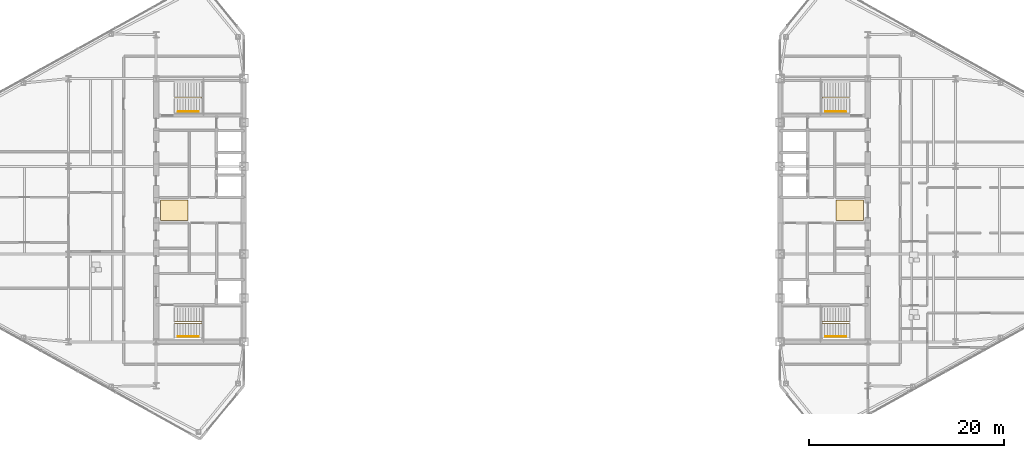
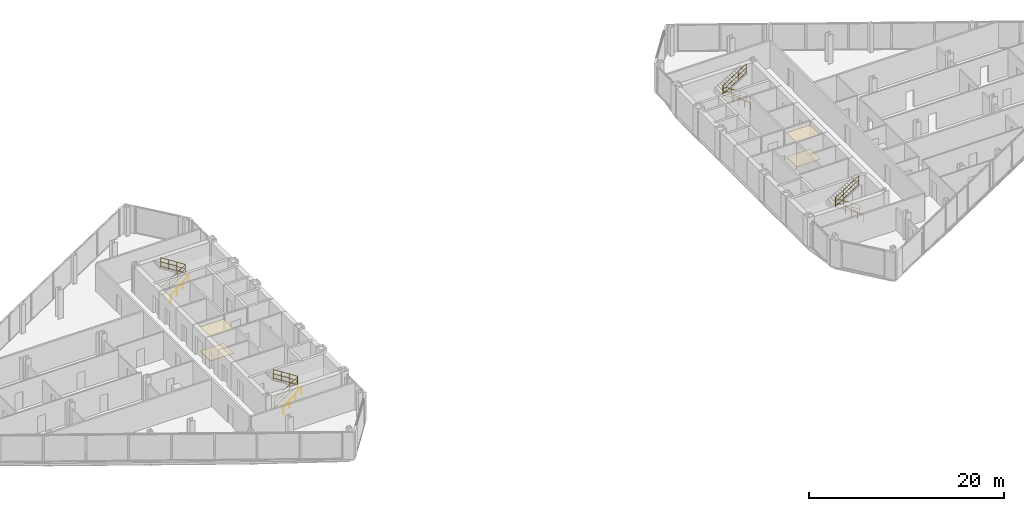
# One storey, part 25 of 26: 8 railings, 4 coverings.
"""IFC4 building model written with IfcOpenShell, lengths in metres."""

from ifc_helpers import new_model, si_unit, direction, frame, origin, origin_2d, place, context, subcontext, project, spatial, polyline, circle, outline, extrude, material, layer, layer_set, type_object, element, save


model = new_model("IFC4")

# Units and contexts
model_context = context("Model", 3, precision=1e-05, world=origin(), true_north=direction((0.0, 1.0)))
body_context = subcontext(model_context, "Body", "Model", "MODEL_VIEW")
ifc_project = project(units=[si_unit("LENGTHUNIT", "METRE"), si_unit("AREAUNIT", "SQUARE_METRE"), si_unit("VOLUMEUNIT", "CUBIC_METRE"), si_unit("PLANEANGLEUNIT", "RADIAN"), si_unit("MASSUNIT", "GRAM", prefix="KILO")], contexts=[model_context])

# Site, building, storey
site_placement = place(None, origin())
site = spatial("IfcSite", under=ifc_project, at=site_placement, CompositionType="ELEMENT")
building_placement = place(site_placement, origin())
building = spatial("IfcBuilding", under=site, at=building_placement, Name="Seokmaru Belvedere", CompositionType="ELEMENT")
storey_placement = place(building_placement, frame((0.0, 0.0, 167.10009765625)))
storey = spatial("IfcBuildingStorey", under=building, at=storey_placement, Name="L44", CompositionType="ELEMENT", Elevation=167.10009765625)

# Coverings
ifc_material_1 = material(Name="Engineered White Oak Timber", Category="wood")
ifc_layer_1 = layer(ifc_material_1, 0.02197265625)
ifc_layer_set_1 = layer_set([ifc_layer_1], Name="Engineered White Oak Timber")
covering_type_1 = type_object("IfcCoveringType", Name="Engineered Oak Residence Floor Finish 22", PredefinedType="FLOORING", material=ifc_layer_set_1)
covering_1_placement = place(storey_placement, origin())
element("IfcCovering", 1, at=covering_1_placement, inside=storey, type_object=covering_type_1, Name="L44 W Foyer Floor Finish", PredefinedType="FLOORING", context=body_context, shape_type="SweptSolid", body=[
    extrude(outline(polyline([(-36.050048828125, -1.050048828125), (-33.25, -1.050048828125), (-33.25, 1.050048828125), (-36.050048828125, 1.050048828125), (-36.050048828125, -1.050048828125)])), origin(), (0.0, 0.0, 1.0), 0.02197265625),
])
covering_2_placement = place(storey_placement, origin())
element("IfcCovering", 2, at=covering_2_placement, inside=storey, type_object=covering_type_1, Name="L44 E Foyer Floor Finish", PredefinedType="FLOORING", context=body_context, shape_type="SweptSolid", body=[
    extrude(outline(polyline([(33.25, -1.050048828125), (36.050048828125, -1.050048828125), (36.050048828125, 1.050048828125), (33.25, 1.050048828125), (33.25, -1.050048828125)])), origin(), (0.0, 0.0, 1.0), 0.02197265625),
])
ifc_material_2 = material(Name="Fire-Rated Gypsum Shaftwall")
ifc_layer_2 = layer(ifc_material_2, 0.02490234375)
ifc_layer_set_2 = layer_set([ifc_layer_2], Name="Fire-Rated Gypsum Shaftwall")
covering_type_2 = type_object("IfcCoveringType", Name="Perforated Acoustic Gypsum Suspended Ceiling 25", PredefinedType="CEILING", material=ifc_layer_set_2)
covering_3_placement = place(storey_placement, frame((0.0, 0.0, 3.02978515625)))
element("IfcCovering", 3, at=covering_3_placement, inside=storey, type_object=covering_type_2, Name="L44 W Lift Foyer Acoustic Ceiling", PredefinedType="CEILING", context=body_context, shape_type="SweptSolid", body=[
    extrude(outline(polyline([(-36.050048828125, -1.050048828125), (-33.25, -1.050048828125), (-33.25, 1.050048828125), (-36.050048828125, 1.050048828125), (-36.050048828125, -1.050048828125)])), origin(), (0.0, 0.0, 1.0), 0.025146484375),
])
covering_4_placement = place(storey_placement, frame((0.0, 0.0, 3.02978515625)))
element("IfcCovering", 4, at=covering_4_placement, inside=storey, type_object=covering_type_2, Name="L44 E Lift Foyer Acoustic Ceiling", PredefinedType="CEILING", context=body_context, shape_type="SweptSolid", body=[
    extrude(outline(polyline([(33.25, -1.050048828125), (36.050048828125, -1.050048828125), (36.050048828125, 1.050048828125), (33.25, 1.050048828125), (33.25, -1.050048828125)])), origin(), (0.0, 0.0, 1.0), 0.025146484375),
])

# Railings
ifc_material_3 = material(Name="Stainless Steel 316", Category="steel")
railing_type_1 = type_object("IfcRailingType", Name="Stainless Steel Wall and Flight Handrail 900", PredefinedType="HANDRAIL", material=ifc_material_3)
for number, where, name in (
    (5, (-34.25, -12.949951171875, 0.0), "L44 Stair ST-W1 Wall Handrail"),
    (6, (-34.25, 10.110107421875, 0.0), "L44 Stair ST-W2 Wall Handrail"),
):
    element("IfcRailing", number, at=place(storey_placement, frame(where)), inside=storey, type_object=railing_type_1, Name=name, PredefinedType="HANDRAIL", context=body_context, shape_type="SweptSolid", body=[
        extrude(circle(Radius=0.02392578125, at=origin_2d()), frame((0.0, 0.0, 0.8759765625), z_axis=(0.759306447245, 0.0, 0.650733216588), x_axis=(0.0, 1.0, 0.0)), (0.0, 0.0, 1.0), 2.765869140625),
        extrude(circle(Radius=0.02099609375, at=origin_2d()), origin(), (0.0, 0.0, 1.0), 0.851806640625),
        extrude(circle(Radius=0.02099609375, at=origin_2d()), frame((0.699951171875, 0.0, 0.599853515625)), (0.0, 0.0, 1.0), 0.851806640625),
        extrude(circle(Radius=0.02099609375, at=origin_2d()), frame((1.400146484375, 0.0, 1.199951171875)), (0.0, 0.0, 1.0), 0.851806640625),
        extrude(circle(Radius=0.02099609375, at=origin_2d()), frame((2.10009765625, 0.0, 1.7998046875)), (0.0, 0.0, 1.0), 0.851806640625),
    ])
for number, where, name in (
    (7, (34.25, -12.949951171875, 0.0), "L44 Stair ST-E1 Wall Handrail"),
    (8, (34.25, 10.110107421875, 0.0), "L44 Stair ST-E2 Wall Handrail"),
):
    element("IfcRailing", number, at=place(storey_placement, frame(where)), inside=storey, type_object=railing_type_1, Name=name, PredefinedType="HANDRAIL", context=body_context, shape_type="SweptSolid", body=[
        extrude(circle(Radius=0.02392578125, at=origin_2d()), frame((0.0, 0.0, 0.8759765625), z_axis=(-0.759306447245, 0.0, 0.650733216588), x_axis=(0.0, -1.0, 0.0)), (0.0, 0.0, 1.0), 2.765869140625),
        extrude(circle(Radius=0.02099609375, at=origin_2d()), origin(), (0.0, 0.0, 1.0), 0.851806640625),
        extrude(circle(Radius=0.02099609375, at=origin_2d()), frame((-0.699951171875, 0.0, 0.599853515625)), (0.0, 0.0, 1.0), 0.851806640625),
        extrude(circle(Radius=0.02099609375, at=origin_2d()), frame((-1.400146484375, 0.0, 1.199951171875)), (0.0, 0.0, 1.0), 0.851806640625),
        extrude(circle(Radius=0.02099609375, at=origin_2d()), frame((-2.10009765625, 0.0, 1.7998046875)), (0.0, 0.0, 1.0), 0.851806640625),
    ])
railing_type_2 = type_object("IfcRailingType", Name="Stair Well and Atrium Steel Guardrail 1200", PredefinedType="GUARDRAIL", material=ifc_material_3)
railing_1_placement = place(storey_placement, frame((-34.60009765625, -11.60009765625, 0.0)))
element("IfcRailing", 9, at=railing_1_placement, inside=storey, type_object=railing_type_2, Name="L44 Stair ST-W1 Inner Well Guardrail", PredefinedType="GUARDRAIL", context=body_context, shape_type="SweptSolid", body=[
    extrude(circle(Radius=0.02392578125, at=origin_2d()), frame((0.0, 0.0, 1.17578125), z_axis=(0.841209454229, 0.0, 0.540709398952), x_axis=(0.0, 1.0, 0.0)), (0.0, 0.0, 1.0), 3.32861328125),
    extrude(circle(Radius=0.02392578125, at=origin_2d()), frame((0.0, 0.0, 0.1201171875), z_axis=(0.841209454229, 0.0, 0.540709398952), x_axis=(0.0, 1.0, 0.0)), (0.0, 0.0, 1.0), 3.32861328125),
    extrude(circle(Radius=0.02392578125, at=origin_2d()), frame((0.0, 0.0, 0.659912109375), z_axis=(0.841209454229, 0.0, 0.540709398952), x_axis=(0.0, 1.0, 0.0)), (0.0, 0.0, 1.0), 3.32861328125),
    extrude(circle(Radius=0.02392578125, at=origin_2d()), frame((2.800048828125, 0.0, 2.9755859375), z_axis=(0.0, 1.0, 0.0), x_axis=(-1.0, 0.0, 0.0)), (0.0, 0.0, 1.0), 0.14013671875),
    extrude(circle(Radius=0.02392578125, at=origin_2d()), frame((2.800048828125, 0.0, 1.919921875), z_axis=(0.0, 1.0, 0.0), x_axis=(-1.0, 0.0, 0.0)), (0.0, 0.0, 1.0), 0.14013671875),
    extrude(circle(Radius=0.02392578125, at=origin_2d()), frame((2.800048828125, 0.0, 2.459716796875), z_axis=(0.0, 1.0, 0.0), x_axis=(-1.0, 0.0, 0.0)), (0.0, 0.0, 1.0), 0.14013671875),
    extrude(circle(Radius=0.02392578125, at=origin_2d()), frame((2.800048828125, 0.14013671875, 2.9755859375), z_axis=(-0.841176092368, 0.0, 0.540761298198), x_axis=(0.0, -1.0, 0.0)), (0.0, 0.0, 1.0), 3.32861328125),
    extrude(circle(Radius=0.02392578125, at=origin_2d()), frame((2.800048828125, 0.14013671875, 1.919921875), z_axis=(-0.841176092368, 0.0, 0.540761298198), x_axis=(0.0, -1.0, 0.0)), (0.0, 0.0, 1.0), 3.32861328125),
    extrude(circle(Radius=0.02392578125, at=origin_2d()), frame((2.800048828125, 0.14013671875, 2.459716796875), z_axis=(-0.841176092368, 0.0, 0.540761298198), x_axis=(0.0, -1.0, 0.0)), (0.0, 0.0, 1.0), 3.32861328125),
    extrude(circle(Radius=0.02099609375, at=origin_2d()), origin(), (0.0, 0.0, 1.0), 1.15185546875),
    extrude(circle(Radius=0.02099609375, at=origin_2d()), frame((0.933349609375, 0.0, 0.599853515625)), (0.0, 0.0, 1.0), 1.15185546875),
    extrude(circle(Radius=0.02099609375, at=origin_2d()), frame((1.86669921875, 0.0, 1.199951171875)), (0.0, 0.0, 1.0), 1.15185546875),
    extrude(circle(Radius=0.02099609375, at=origin_2d()), frame((2.800048828125, 0.0, 1.7998046875)), (0.0, 0.0, 1.0), 1.15185546875),
    extrude(circle(Radius=0.02099609375, at=origin_2d()), frame((2.800048828125, 0.14013671875, 1.7998046875)), (0.0, 0.0, 1.0), 1.15185546875),
    extrude(circle(Radius=0.02099609375, at=origin_2d()), frame((1.86669921875, 0.14013671875, 2.39990234375)), (0.0, 0.0, 1.0), 1.15185546875),
    extrude(circle(Radius=0.02099609375, at=origin_2d()), frame((0.933349609375, 0.14013671875, 2.999755859375)), (0.0, 0.0, 1.0), 1.15185546875),
    extrude(circle(Radius=0.02099609375, at=origin_2d()), frame((0.0, 0.14013671875, 3.599853515625)), (0.0, 0.0, 1.0), 1.15185546875),
])
railing_2_placement = place(storey_placement, frame((-34.60009765625, 11.4599609375, 0.0)))
element("IfcRailing", 10, at=railing_2_placement, inside=storey, type_object=railing_type_2, Name="L44 Stair ST-W2 Inner Well Guardrail", PredefinedType="GUARDRAIL", context=body_context, shape_type="SweptSolid", body=[
    extrude(circle(Radius=0.02392578125, at=origin_2d()), frame((0.0, 0.0, 1.17578125), z_axis=(0.841209454229, 0.0, 0.540709398952), x_axis=(0.0, 1.0, 0.0)), (0.0, 0.0, 1.0), 3.32861328125),
    extrude(circle(Radius=0.02392578125, at=origin_2d()), frame((0.0, 0.0, 0.1201171875), z_axis=(0.841209454229, 0.0, 0.540709398952), x_axis=(0.0, 1.0, 0.0)), (0.0, 0.0, 1.0), 3.32861328125),
    extrude(circle(Radius=0.02392578125, at=origin_2d()), frame((0.0, 0.0, 0.659912109375), z_axis=(0.841209454229, 0.0, 0.540709398952), x_axis=(0.0, 1.0, 0.0)), (0.0, 0.0, 1.0), 3.32861328125),
    extrude(circle(Radius=0.02392578125, at=origin_2d()), frame((2.800048828125, 0.0, 2.9755859375), z_axis=(0.0, 1.0, 0.0), x_axis=(-1.0, 0.0, 0.0)), (0.0, 0.0, 1.0), 0.14013671875),
    extrude(circle(Radius=0.02392578125, at=origin_2d()), frame((2.800048828125, 0.0, 1.919921875), z_axis=(0.0, 1.0, 0.0), x_axis=(-1.0, 0.0, 0.0)), (0.0, 0.0, 1.0), 0.14013671875),
    extrude(circle(Radius=0.02392578125, at=origin_2d()), frame((2.800048828125, 0.0, 2.459716796875), z_axis=(0.0, 1.0, 0.0), x_axis=(-1.0, 0.0, 0.0)), (0.0, 0.0, 1.0), 0.14013671875),
    extrude(circle(Radius=0.02392578125, at=origin_2d()), frame((2.800048828125, 0.14013671875, 2.9755859375), z_axis=(-0.841176092368, 0.0, 0.540761298198), x_axis=(0.0, -1.0, 0.0)), (0.0, 0.0, 1.0), 3.32861328125),
    extrude(circle(Radius=0.02392578125, at=origin_2d()), frame((2.800048828125, 0.14013671875, 1.919921875), z_axis=(-0.841176092368, 0.0, 0.540761298198), x_axis=(0.0, -1.0, 0.0)), (0.0, 0.0, 1.0), 3.32861328125),
    extrude(circle(Radius=0.02392578125, at=origin_2d()), frame((2.800048828125, 0.14013671875, 2.459716796875), z_axis=(-0.841176092368, 0.0, 0.540761298198), x_axis=(0.0, -1.0, 0.0)), (0.0, 0.0, 1.0), 3.32861328125),
    extrude(circle(Radius=0.02099609375, at=origin_2d()), origin(), (0.0, 0.0, 1.0), 1.15185546875),
    extrude(circle(Radius=0.02099609375, at=origin_2d()), frame((0.933349609375, 0.0, 0.599853515625)), (0.0, 0.0, 1.0), 1.15185546875),
    extrude(circle(Radius=0.02099609375, at=origin_2d()), frame((1.86669921875, 0.0, 1.199951171875)), (0.0, 0.0, 1.0), 1.15185546875),
    extrude(circle(Radius=0.02099609375, at=origin_2d()), frame((2.800048828125, 0.0, 1.7998046875)), (0.0, 0.0, 1.0), 1.15185546875),
    extrude(circle(Radius=0.02099609375, at=origin_2d()), frame((2.800048828125, 0.14013671875, 1.7998046875)), (0.0, 0.0, 1.0), 1.15185546875),
    extrude(circle(Radius=0.02099609375, at=origin_2d()), frame((1.86669921875, 0.14013671875, 2.39990234375)), (0.0, 0.0, 1.0), 1.15185546875),
    extrude(circle(Radius=0.02099609375, at=origin_2d()), frame((0.933349609375, 0.14013671875, 2.999755859375)), (0.0, 0.0, 1.0), 1.15185546875),
    extrude(circle(Radius=0.02099609375, at=origin_2d()), frame((0.0, 0.14013671875, 3.599853515625)), (0.0, 0.0, 1.0), 1.15185546875),
])
railing_3_placement = place(storey_placement, frame((34.60009765625, -11.60009765625, 0.0)))
element("IfcRailing", 11, at=railing_3_placement, inside=storey, type_object=railing_type_2, Name="L44 Stair ST-E1 Inner Well Guardrail", PredefinedType="GUARDRAIL", context=body_context, shape_type="SweptSolid", body=[
    extrude(circle(Radius=0.02392578125, at=origin_2d()), frame((0.0, 0.0, 1.17578125), z_axis=(-0.841209454229, 0.0, 0.540709398952), x_axis=(0.0, -1.0, 0.0)), (0.0, 0.0, 1.0), 3.32861328125),
    extrude(circle(Radius=0.02392578125, at=origin_2d()), frame((0.0, 0.0, 0.1201171875), z_axis=(-0.841209454229, 0.0, 0.540709398952), x_axis=(0.0, -1.0, 0.0)), (0.0, 0.0, 1.0), 3.32861328125),
    extrude(circle(Radius=0.02392578125, at=origin_2d()), frame((0.0, 0.0, 0.659912109375), z_axis=(-0.841209454229, 0.0, 0.540709398952), x_axis=(0.0, -1.0, 0.0)), (0.0, 0.0, 1.0), 3.32861328125),
    extrude(circle(Radius=0.02392578125, at=origin_2d()), frame((-2.800048828125, 0.0, 2.9755859375), z_axis=(0.0, 1.0, 0.0), x_axis=(-1.0, 0.0, 0.0)), (0.0, 0.0, 1.0), 0.14013671875),
    extrude(circle(Radius=0.02392578125, at=origin_2d()), frame((-2.800048828125, 0.0, 1.919921875), z_axis=(0.0, 1.0, 0.0), x_axis=(-1.0, 0.0, 0.0)), (0.0, 0.0, 1.0), 0.14013671875),
    extrude(circle(Radius=0.02392578125, at=origin_2d()), frame((-2.800048828125, 0.0, 2.459716796875), z_axis=(0.0, 1.0, 0.0), x_axis=(-1.0, 0.0, 0.0)), (0.0, 0.0, 1.0), 0.14013671875),
    extrude(circle(Radius=0.02392578125, at=origin_2d()), frame((-2.800048828125, 0.14013671875, 2.9755859375), z_axis=(0.841176092368, 0.0, 0.540761298198), x_axis=(0.0, 1.0, 0.0)), (0.0, 0.0, 1.0), 3.32861328125),
    extrude(circle(Radius=0.02392578125, at=origin_2d()), frame((-2.800048828125, 0.14013671875, 1.919921875), z_axis=(0.841176092368, 0.0, 0.540761298198), x_axis=(0.0, 1.0, 0.0)), (0.0, 0.0, 1.0), 3.32861328125),
    extrude(circle(Radius=0.02392578125, at=origin_2d()), frame((-2.800048828125, 0.14013671875, 2.459716796875), z_axis=(0.841176092368, 0.0, 0.540761298198), x_axis=(0.0, 1.0, 0.0)), (0.0, 0.0, 1.0), 3.32861328125),
    extrude(circle(Radius=0.02099609375, at=origin_2d()), origin(), (0.0, 0.0, 1.0), 1.15185546875),
    extrude(circle(Radius=0.02099609375, at=origin_2d()), frame((-0.933349609375, 0.0, 0.599853515625)), (0.0, 0.0, 1.0), 1.15185546875),
    extrude(circle(Radius=0.02099609375, at=origin_2d()), frame((-1.86669921875, 0.0, 1.199951171875)), (0.0, 0.0, 1.0), 1.15185546875),
    extrude(circle(Radius=0.02099609375, at=origin_2d()), frame((-2.800048828125, 0.0, 1.7998046875)), (0.0, 0.0, 1.0), 1.15185546875),
    extrude(circle(Radius=0.02099609375, at=origin_2d()), frame((-2.800048828125, 0.14013671875, 1.7998046875)), (0.0, 0.0, 1.0), 1.15185546875),
    extrude(circle(Radius=0.02099609375, at=origin_2d()), frame((-1.86669921875, 0.14013671875, 2.39990234375)), (0.0, 0.0, 1.0), 1.15185546875),
    extrude(circle(Radius=0.02099609375, at=origin_2d()), frame((-0.933349609375, 0.14013671875, 2.999755859375)), (0.0, 0.0, 1.0), 1.15185546875),
    extrude(circle(Radius=0.02099609375, at=origin_2d()), frame((0.0, 0.14013671875, 3.599853515625)), (0.0, 0.0, 1.0), 1.15185546875),
])
railing_4_placement = place(storey_placement, frame((34.60009765625, 11.4599609375, 0.0)))
element("IfcRailing", 12, at=railing_4_placement, inside=storey, type_object=railing_type_2, Name="L44 Stair ST-E2 Inner Well Guardrail", PredefinedType="GUARDRAIL", context=body_context, shape_type="SweptSolid", body=[
    extrude(circle(Radius=0.02392578125, at=origin_2d()), frame((0.0, 0.0, 1.17578125), z_axis=(-0.841209454229, 0.0, 0.540709398952), x_axis=(0.0, -1.0, 0.0)), (0.0, 0.0, 1.0), 3.32861328125),
    extrude(circle(Radius=0.02392578125, at=origin_2d()), frame((0.0, 0.0, 0.1201171875), z_axis=(-0.841209454229, 0.0, 0.540709398952), x_axis=(0.0, -1.0, 0.0)), (0.0, 0.0, 1.0), 3.32861328125),
    extrude(circle(Radius=0.02392578125, at=origin_2d()), frame((0.0, 0.0, 0.659912109375), z_axis=(-0.841209454229, 0.0, 0.540709398952), x_axis=(0.0, -1.0, 0.0)), (0.0, 0.0, 1.0), 3.32861328125),
    extrude(circle(Radius=0.02392578125, at=origin_2d()), frame((-2.800048828125, 0.0, 2.9755859375), z_axis=(0.0, 1.0, 0.0), x_axis=(-1.0, 0.0, 0.0)), (0.0, 0.0, 1.0), 0.14013671875),
    extrude(circle(Radius=0.02392578125, at=origin_2d()), frame((-2.800048828125, 0.0, 1.919921875), z_axis=(0.0, 1.0, 0.0), x_axis=(-1.0, 0.0, 0.0)), (0.0, 0.0, 1.0), 0.14013671875),
    extrude(circle(Radius=0.02392578125, at=origin_2d()), frame((-2.800048828125, 0.0, 2.459716796875), z_axis=(0.0, 1.0, 0.0), x_axis=(-1.0, 0.0, 0.0)), (0.0, 0.0, 1.0), 0.14013671875),
    extrude(circle(Radius=0.02392578125, at=origin_2d()), frame((-2.800048828125, 0.14013671875, 2.9755859375), z_axis=(0.841176092368, 0.0, 0.540761298198), x_axis=(0.0, 1.0, 0.0)), (0.0, 0.0, 1.0), 3.32861328125),
    extrude(circle(Radius=0.02392578125, at=origin_2d()), frame((-2.800048828125, 0.14013671875, 1.919921875), z_axis=(0.841176092368, 0.0, 0.540761298198), x_axis=(0.0, 1.0, 0.0)), (0.0, 0.0, 1.0), 3.32861328125),
    extrude(circle(Radius=0.02392578125, at=origin_2d()), frame((-2.800048828125, 0.14013671875, 2.459716796875), z_axis=(0.841176092368, 0.0, 0.540761298198), x_axis=(0.0, 1.0, 0.0)), (0.0, 0.0, 1.0), 3.32861328125),
    extrude(circle(Radius=0.02099609375, at=origin_2d()), origin(), (0.0, 0.0, 1.0), 1.15185546875),
    extrude(circle(Radius=0.02099609375, at=origin_2d()), frame((-0.933349609375, 0.0, 0.599853515625)), (0.0, 0.0, 1.0), 1.15185546875),
    extrude(circle(Radius=0.02099609375, at=origin_2d()), frame((-1.86669921875, 0.0, 1.199951171875)), (0.0, 0.0, 1.0), 1.15185546875),
    extrude(circle(Radius=0.02099609375, at=origin_2d()), frame((-2.800048828125, 0.0, 1.7998046875)), (0.0, 0.0, 1.0), 1.15185546875),
    extrude(circle(Radius=0.02099609375, at=origin_2d()), frame((-2.800048828125, 0.14013671875, 1.7998046875)), (0.0, 0.0, 1.0), 1.15185546875),
    extrude(circle(Radius=0.02099609375, at=origin_2d()), frame((-1.86669921875, 0.14013671875, 2.39990234375)), (0.0, 0.0, 1.0), 1.15185546875),
    extrude(circle(Radius=0.02099609375, at=origin_2d()), frame((-0.933349609375, 0.14013671875, 2.999755859375)), (0.0, 0.0, 1.0), 1.15185546875),
    extrude(circle(Radius=0.02099609375, at=origin_2d()), frame((0.0, 0.14013671875, 3.599853515625)), (0.0, 0.0, 1.0), 1.15185546875),
])

save(model, "model.ifc")
